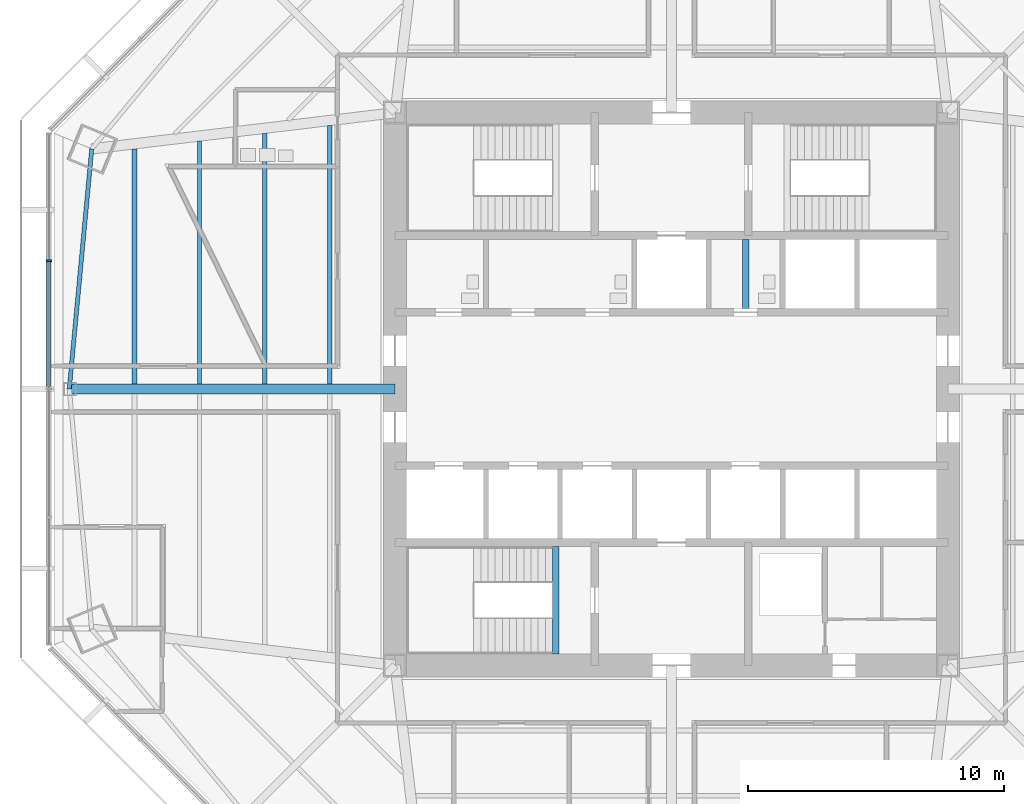
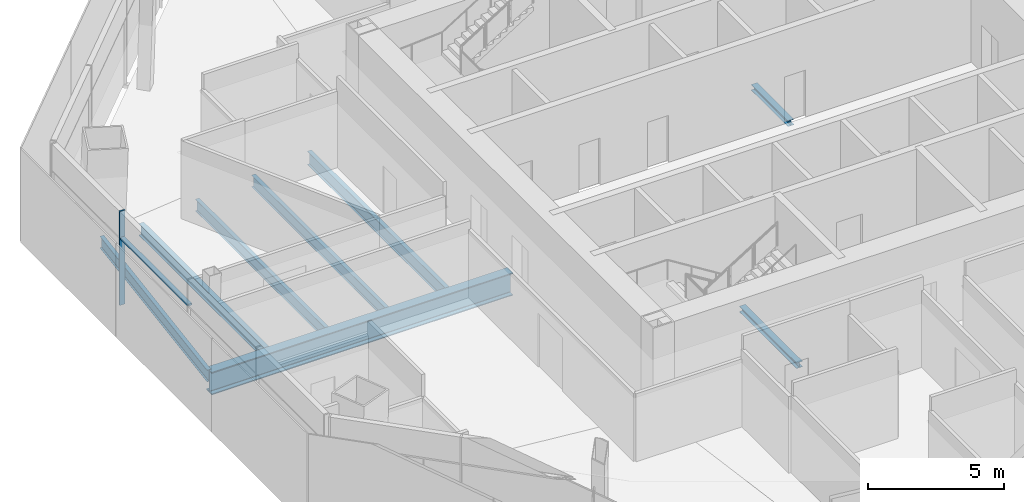
# One storey, part 3 of 14: 8 beams, 2 members, 1 element without a shape of its own.
"""IFC4 building model written with IfcOpenShell, lengths in metres."""

from ifc_helpers import new_model, si_unit, direction, frame, origin, origin_2d, place, context, subcontext, project, spatial, rectangle, i_section, extrude, source, transform, mapped, material, material_profile, profile_set, type_object, type_shapes, element, aggregate, save


model = new_model("IFC4")

# Units and contexts
model_context = context("Model", 3, precision=1e-05, world=origin(), true_north=direction((0.0, 1.0)))
body_context = subcontext(model_context, "Body", "Model", "MODEL_VIEW")
ifc_project = project(units=[si_unit("LENGTHUNIT", "METRE"), si_unit("AREAUNIT", "SQUARE_METRE"), si_unit("VOLUMEUNIT", "CUBIC_METRE"), si_unit("PLANEANGLEUNIT", "RADIAN"), si_unit("MASSUNIT", "GRAM", prefix="KILO")], contexts=[model_context])

# Site, building, storey
site_placement = place(None, origin())
site = spatial("IfcSite", under=ifc_project, at=site_placement, CompositionType="ELEMENT")
building_placement = place(site_placement, origin())
building = spatial("IfcBuilding", under=site, at=building_placement, Name="Mashrafa Tower", CompositionType="ELEMENT")
storey_placement = place(building_placement, frame((0.0, 0.0, 130.199951171875)))
storey = spatial("IfcBuildingStorey", under=building, at=storey_placement, Name="L29", CompositionType="ELEMENT", Elevation=130.199951171875)

# Beams
ifc_material_1 = material(Name="Steel ASTM A992", Category="steel")
ifc_material_profile_1 = material_profile(ifc_material_1, i_section(OverallWidth=0.1650390625, OverallDepth=0.52587890625, WebThickness=0.0087890625, FlangeThickness=0.011474609375, FilletRadius=0.0126953125, at=origin_2d()), Name="W21X44")
ifc_profile_set_1 = profile_set([ifc_material_profile_1], Name="Steel ASTM A992")
beam_type_1 = type_object("IfcBeamType", Name="Beam W21X44", PredefinedType="BEAM", material=ifc_profile_set_1)
beam_1_placement = place(storey_placement, frame((-18.441650390625, 0.20068359375, -0.427734375), z_axis=(0.0, 1.0, 0.0), x_axis=(-1.0, 0.0, 0.0)))
element("IfcBeam", 1, at=beam_1_placement, inside=storey, type_object=beam_type_1, Name="Floor beam L29 005", PredefinedType="BEAM", context=body_context, shape_type="SweptSolid", body=[
    extrude(i_section(OverallWidth=0.1650390625, OverallDepth=0.52587890625, WebThickness=0.0087890625, FlangeThickness=0.011474609375, FilletRadius=0.0126953125, at=origin_2d()), origin(), (0.0, 0.0, 1.0), 9.485595703125),
])
beam_2_placement = place(storey_placement, frame((-15.89453125, 0.20068359375, -0.427734375), z_axis=(0.0, 1.0, 0.0), x_axis=(-1.0, 0.0, 0.0)))
element("IfcBeam", 2, at=beam_2_placement, inside=storey, type_object=beam_type_1, Name="Floor beam L29 007", PredefinedType="BEAM", context=body_context, shape_type="SweptSolid", body=[
    extrude(i_section(OverallWidth=0.1650390625, OverallDepth=0.52587890625, WebThickness=0.0087890625, FlangeThickness=0.011474609375, FilletRadius=0.0126953125, at=origin_2d()), origin(), (0.0, 0.0, 1.0), 9.789306640625),
])
beam_3_placement = place(storey_placement, frame((-22.657958984375, 9.38525390625, -0.427734375), z_axis=(-0.093162590864, -0.995650908533, 0.0), x_axis=(0.995650908533, -0.093162590864, 0.0)))
element("IfcBeam", 3, at=beam_3_placement, inside=storey, type_object=beam_type_1, Name="Spandrel beam L29 067", PredefinedType="BEAM", context=body_context, shape_type="SweptSolid", body=[
    extrude(i_section(OverallWidth=0.1650390625, OverallDepth=0.52587890625, WebThickness=0.0087890625, FlangeThickness=0.011474609375, FilletRadius=0.0126953125, at=origin_2d()), origin(), (0.0, 0.0, 1.0), 9.42626953125),
])
ifc_material_2 = material(Name="Steel ASTM A992", Category="steel")
ifc_material_profile_2 = material_profile(ifc_material_2, i_section(OverallWidth=0.209228515625, OverallDepth=0.533447265625, WebThickness=0.01025390625, FlangeThickness=0.015625, FilletRadius=0.012939453125, at=origin_2d()), Name="W21X62")
ifc_profile_set_2 = profile_set([ifc_material_profile_2], Name="Steel ASTM A992")
beam_type_2 = type_object("IfcBeamType", Name="Beam W21X62", PredefinedType="BEAM", material=ifc_profile_set_2)
beam_4_placement = place(storey_placement, frame((-20.989013671875, 0.20068359375, -0.431640625), z_axis=(0.0, 1.0, 0.0), x_axis=(-1.0, 0.0, 0.0)))
element("IfcBeam", 4, at=beam_4_placement, inside=storey, type_object=beam_type_2, Name="Floor beam L29 002", PredefinedType="BEAM", context=body_context, shape_type="SweptSolid", body=[
    extrude(i_section(OverallWidth=0.209228515625, OverallDepth=0.533447265625, WebThickness=0.01025390625, FlangeThickness=0.015625, FilletRadius=0.012939453125, at=origin_2d()), origin(), (0.0, 0.0, 1.0), 9.181640625),
])
ifc_material_3 = material(Name="Steel ASTM A992", Category="steel")
ifc_material_profile_3 = material_profile(ifc_material_3, i_section(OverallWidth=0.177978515625, OverallDepth=0.599365234375, WebThickness=0.010009765625, FlangeThickness=0.012939453125, FilletRadius=0.012939453125, at=origin_2d()), Name="W24X55")
ifc_profile_set_3 = profile_set([ifc_material_profile_3], Name="Steel ASTM A992")
beam_type_3 = type_object("IfcBeamType", Name="Beam W24X55", PredefinedType="BEAM", material=ifc_profile_set_3)
beam_5_placement = place(storey_placement, frame((-13.34716796875, 0.20068359375, -0.464599609375), z_axis=(0.0, 1.0, 0.0), x_axis=(-1.0, 0.0, 0.0)))
element("IfcBeam", 5, at=beam_5_placement, inside=storey, type_object=beam_type_3, Name="Floor beam L29 012", PredefinedType="BEAM", context=body_context, shape_type="SweptSolid", body=[
    extrude(i_section(OverallWidth=0.177978515625, OverallDepth=0.599365234375, WebThickness=0.010009765625, FlangeThickness=0.012939453125, FilletRadius=0.012939453125, at=origin_2d()), origin(), (0.0, 0.0, 1.0), 10.09326171875),
])
ifc_material_4 = material(Name="Steel ASTM A992", Category="steel")
ifc_material_profile_4 = material_profile(ifc_material_4, i_section(OverallWidth=0.4013671875, OverallDepth=1.010986328125, WebThickness=0.023681640625, FlangeThickness=0.0419921875, FilletRadius=0.02001953125, at=origin_2d()), Name="W40X297")
ifc_profile_set_4 = profile_set([ifc_material_profile_4], Name="Steel ASTM A992")
beam_type_4 = type_object("IfcBeamType", Name="Beam W40X297", PredefinedType="BEAM", material=ifc_profile_set_4)
beam_6_placement = place(storey_placement, frame((-10.800048828125, 0.0, -0.67041015625), z_axis=(-1.0, 0.0, 0.0), x_axis=(0.0, -1.0, 0.0)))
element("IfcBeam", 6, at=beam_6_placement, inside=storey, type_object=beam_type_4, Name="Radial girder L29 052", PredefinedType="BEAM", context=body_context, shape_type="SweptSolid", body=[
    extrude(i_section(OverallWidth=0.4013671875, OverallDepth=1.010986328125, WebThickness=0.023681640625, FlangeThickness=0.0419921875, FilletRadius=0.02001953125, at=origin_2d()), origin(), (0.0, 0.0, 1.0), 12.736083984375),
])
ifc_material_5 = material(Name="Steel ASTM A992", Category="steel")
ifc_material_profile_5 = material_profile(ifc_material_5, i_section(OverallWidth=0.25390625, OverallDepth=0.25390625, WebThickness=0.008544921875, FlangeThickness=0.01416015625, FilletRadius=0.010009765625, at=origin_2d()), Name="W10X49")
ifc_profile_set_5 = profile_set([ifc_material_profile_5], Name="Steel ASTM A992")
beam_type_5 = type_object("IfcBeamType", Name="Hoistway beam W10X49", PredefinedType="BEAM", material=ifc_profile_set_5)
beam_7_placement = place(storey_placement, frame((2.89990234375, 3.14990234375, -0.2919921875), z_axis=(0.0, 1.0, 0.0), x_axis=(-1.0, 0.0, 0.0)))
element("IfcBeam", 7, at=beam_7_placement, inside=storey, type_object=beam_type_5, Name="Hoistway beam L29 06", PredefinedType="BEAM", context=body_context, shape_type="SweptSolid", body=[
    extrude(i_section(OverallWidth=0.25390625, OverallDepth=0.25390625, WebThickness=0.008544921875, FlangeThickness=0.01416015625, FilletRadius=0.010009765625, at=origin_2d()), origin(), (0.0, 0.0, 1.0), 2.7001953125),
])
beam_8_placement = place(storey_placement, frame((-4.530029296875, -10.35009765625, -0.326904296875), z_axis=(0.0, 1.0, 0.0), x_axis=(-1.0, 0.0, 0.0)))
element("IfcBeam", 8, at=beam_8_placement, inside=storey, type_object=beam_type_5, Name="Stair S3 landing beam L29", PredefinedType="BEAM", context=body_context, shape_type="SweptSolid", body=[
    extrude(i_section(OverallWidth=0.25390625, OverallDepth=0.25390625, WebThickness=0.008544921875, FlangeThickness=0.01416015625, FilletRadius=0.010009765625, at=origin_2d()), origin(), (0.0, 0.0, 1.0), 4.2001953125),
])

# Curtain wall, members
ifc_material_6 = material(Name="Unitised aluminium curtain wall", Category="aluminium")
curtain_wall_type = type_object("IfcCurtainWallType", Name="Office curtain wall, zone 2 CW-B 225 deep", PredefinedType="NOTDEFINED", material=ifc_material_6)
curtain_wall_placement = place(storey_placement, origin())
curtain_wall = element("IfcCurtainWall", 9, at=curtain_wall_placement, inside=storey, type_object=curtain_wall_type, Name="Office curtain wall, zone 2 L29 west", PredefinedType="NOTDEFINED")
ifc_material_7 = material(Name="Extruded aluminium mullion", Category="aluminium")
ifc_material_profile_6 = material_profile(ifc_material_7, rectangle(XDim=0.22509765625, YDim=0.06494140625, at=origin_2d()), Name="Mullion 65x225")
ifc_profile_set_6 = profile_set([ifc_material_profile_6], Name="Extruded aluminium mullion")
member_type_1 = type_object("IfcMemberType", Name="Mullion CW-B 65 x 225", PredefinedType="MULLION", material=ifc_profile_set_6)
shared_shape_1 = source(origin(), body_context, "Body", "SweptSolid", [
    extrude(rectangle(XDim=0.22509765625, YDim=0.06494140625, at=origin_2d()), origin(), (0.0, 0.0, 1.0), 4.199951171875),
])
type_shapes(member_type_1, [shared_shape_1])
member_1_placement = place(storey_placement, frame((-24.33154296875, 5.010986328125, 0.0), z_axis=(0.0, 0.0, 1.0), x_axis=(1.0, 0.0, 0.0)))
member_1 = element("IfcMember", 10, at=member_1_placement, type_object=member_type_1, Name="CW-B mullion 2", PredefinedType="MULLION", context=body_context, shape_type="MappedRepresentation", body=[
    mapped(shared_shape_1, transform((0.0, 0.0, 0.0))),
])
ifc_material_8 = material(Name="Extruded aluminium transom", Category="aluminium")
ifc_material_profile_7 = material_profile(ifc_material_8, rectangle(XDim=0.179931640625, YDim=0.080078125, at=origin_2d()), Name="Transom 80x180")
ifc_profile_set_7 = profile_set([ifc_material_profile_7], Name="Extruded aluminium transom")
member_type_2 = type_object("IfcMemberType", Name="Transom CW-B 80 x 180", PredefinedType="MULLION", material=ifc_profile_set_7)
shared_shape_2 = source(origin(), body_context, "Body", "SweptSolid", [
    extrude(rectangle(XDim=0.179931640625, YDim=0.080078125, at=origin_2d()), origin(), (0.0, 0.0, 1.0), 4.946044921875),
])
type_shapes(member_type_2, [shared_shape_2])
member_2_placement = place(storey_placement, frame((-24.33154296875, 4.978515625, 3.0), z_axis=(0.0, -1.0, 0.0), x_axis=(1.0, 0.0, 0.0)))
member_2 = element("IfcMember", 11, at=member_2_placement, type_object=member_type_2, Name="CW-B transom 2", PredefinedType="MULLION", context=body_context, shape_type="MappedRepresentation", body=[
    mapped(shared_shape_2, transform((0.0, 0.0, 0.0))),
])
aggregate(curtain_wall, [member_1, member_2])

save(model, "model.ifc")
